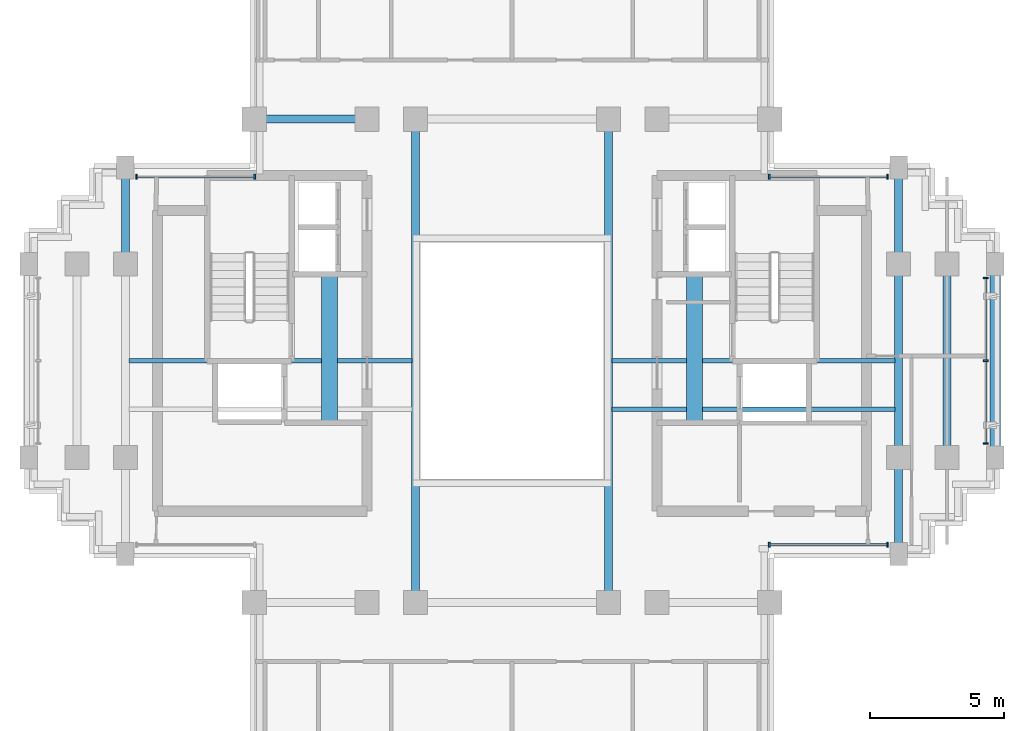
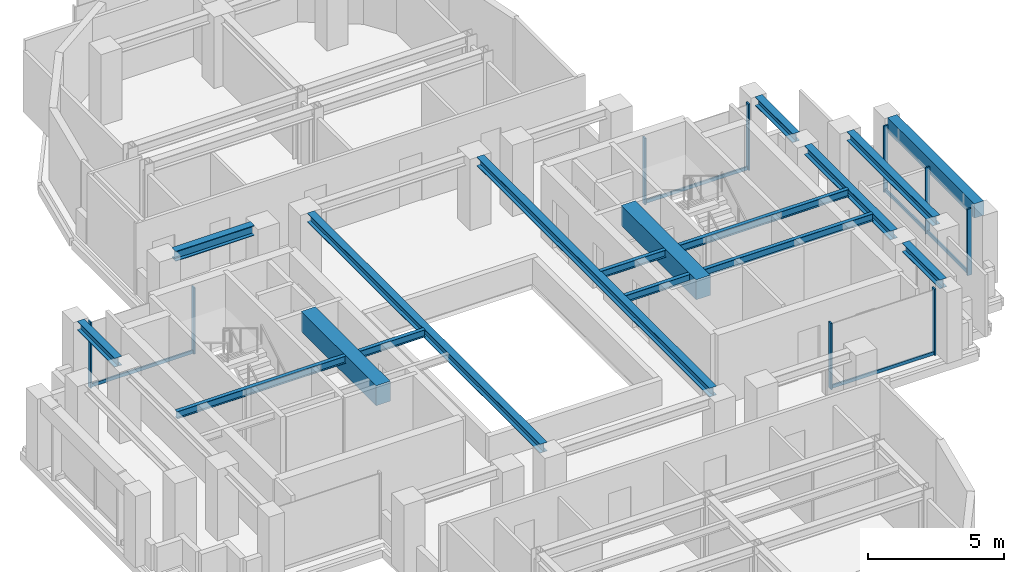
# One storey, part 3 of 11: 14 beams, 14 members, 4 elements without a shape of their own.
"""IFC4 building model written with IfcOpenShell, lengths in metres."""

import ifcopenshell
import ifcopenshell.guid

model = None  # the IFC model being written
_history = None  # IfcOwnerHistory: only IFC2X3 demands one
_inside = {}  # id of a spatial element -> (the spatial element, [elements in it])
_under = {}  # id of a project, library or spatial element -> (it, [spatial elements below it])
_declared = {}  # id of a project -> (the project, [libraries it declares])
_typed = {}  # id of a type object -> (the type object, [elements of that type])
_made_of = {}  # id of a material, layer set ... -> (it, [elements and type objects made of it])


def new_model(schema):
    """Start an empty IFC model of exactly this schema.

    Asked for "IFC4X3", IfcOpenShell would pick the latest addendum, in which some entities
    have other attributes; the version numbers below select the first issue.
    IFC2X3 requires an IfcOwnerHistory on every rooted entity: one is made here for all.
    """
    global model, _history
    if schema == "IFC4X3":
        model = ifcopenshell.file(schema_version=(4, 3, 0, 0))
    else:
        model = ifcopenshell.file(schema=schema)
    _inside.clear()
    _under.clear()
    _declared.clear()
    _typed.clear()
    _made_of.clear()
    _history = None
    if model.schema == "IFC2X3":
        org = make("IfcOrganization", Name="unknown")
        user = make(
            "IfcPersonAndOrganization",
            ThePerson=make("IfcPerson", FamilyName="unknown"),
            TheOrganization=org,
        )
        app = make(
            "IfcApplication",
            ApplicationDeveloper=org,
            Version="unknown",
            ApplicationFullName="unknown",
            ApplicationIdentifier="unknown",
        )
        _history = make(
            "IfcOwnerHistory",
            OwningUser=user,
            OwningApplication=app,
            ChangeAction="ADDED",
            CreationDate=0,
        )
    return model


def make(cls, **values):
    """One entity of the class cls with the attributes given. An attribute that is None is left unset."""
    return model.create_entity(
        cls, **{name: value for name, value in values.items() if value is not None}
    )


def rooted(cls, **values):
    """An entity with a GlobalId (a new one), such as an element, a storey or a relation."""
    return make(cls, GlobalId=ifcopenshell.guid.new(), OwnerHistory=_history, **values)


def si_unit(unit_type, name, prefix=None):
    """IfcSIUnit, for example si_unit("LENGTHUNIT", "METRE", prefix="MILLI")."""
    return make("IfcSIUnit", UnitType=unit_type, Prefix=prefix, Name=name)


def assignment(units):
    """IfcUnitAssignment: the units of a project."""
    return None if units is None else make("IfcUnitAssignment", Units=units)


def point(xyz):
    """IfcCartesianPoint."""
    return None if xyz is None else make("IfcCartesianPoint", Coordinates=xyz)


def direction(xyz):
    """IfcDirection."""
    return None if xyz is None else make("IfcDirection", DirectionRatios=xyz)


def frame(location, z_axis=None, x_axis=None):
    """IfcAxis2Placement3D, a coordinate frame: its origin and axes. An axis left out is left unset."""
    return make(
        "IfcAxis2Placement3D",
        Location=point(location),
        Axis=direction(z_axis),
        RefDirection=direction(x_axis),
    )


def frame_2d(location, x_axis=None):
    """IfcAxis2Placement2D, a coordinate frame in the plane: its origin and x axis."""
    return make(
        "IfcAxis2Placement2D", Location=point(location), RefDirection=direction(x_axis)
    )


def origin():
    """The frame at (0, 0, 0) with its axes left unset."""
    return frame((0.0, 0.0, 0.0))


def origin_2d():
    """The frame at (0, 0) in the plane with its x axis left unset."""
    return frame_2d((0.0, 0.0))


def place(relative_to, where):
    """IfcLocalPlacement: puts the frame where relative to a parent placement (None: the world)."""
    return make(
        "IfcLocalPlacement", PlacementRelTo=relative_to, RelativePlacement=where
    )


def context(
    kind, dimensions, precision=None, world=None, true_north=None, identifier=None
):
    """IfcGeometricRepresentationContext, for example the 3D "Model" context."""
    return make(
        "IfcGeometricRepresentationContext",
        ContextIdentifier=identifier,
        ContextType=kind,
        CoordinateSpaceDimension=dimensions,
        Precision=precision,
        WorldCoordinateSystem=world,
        TrueNorth=true_north,
    )


def subcontext(parent, identifier, kind, view, scale=None):
    """IfcGeometricRepresentationSubContext, for example "Body" below "Model"."""
    return make(
        "IfcGeometricRepresentationSubContext",
        ContextIdentifier=identifier,
        ContextType=kind,
        ParentContext=parent,
        TargetScale=scale,
        TargetView=view,
    )


def project(units=None, contexts=None):
    """IfcProject with its units and contexts."""
    return rooted(
        "IfcProject",
        Name="project",
        RepresentationContexts=contexts,
        UnitsInContext=assignment(units),
    )


def spatial(cls, under=None, at=None, **own):
    """A site, building, storey or space (cls), placed at a placement, below another one or the project."""
    s = rooted(cls, ObjectPlacement=at, **own)
    if under is not None:
        _under.setdefault(under.id(), (under, []))[1].append(s)
    return s


def profile(cls, at=None, kind="AREA", **sizes):
    """A parametric profile (cls). Its sizes go by their IFC names, for example OverallWidth=200.0."""
    return make(cls, ProfileType=kind, Position=at, **sizes)


def rectangle(**sizes):
    """IfcRectangleProfileDef."""
    return profile("IfcRectangleProfileDef", **sizes)


def i_section(**sizes):
    """IfcIShapeProfileDef."""
    return profile("IfcIShapeProfileDef", **sizes)


def extrude(swept, where, along, depth):
    """IfcExtrudedAreaSolid: the profile swept, set in the frame where, extruded along a direction by depth."""
    return make(
        "IfcExtrudedAreaSolid",
        SweptArea=swept,
        Position=where,
        ExtrudedDirection=direction(along),
        Depth=depth,
    )


def shape(context_of_items, identifier, shape_type, items):
    """IfcShapeRepresentation: the items that make up one representation, for example the "Body"."""
    return make(
        "IfcShapeRepresentation",
        ContextOfItems=context_of_items,
        RepresentationIdentifier=identifier,
        RepresentationType=shape_type,
        Items=items,
    )


def source(mapping_origin, context_of_items, identifier, shape_type, items):
    """IfcRepresentationMap: a shape defined once, which mapped items show again and again."""
    return make(
        "IfcRepresentationMap",
        MappingOrigin=mapping_origin,
        MappedRepresentation=shape(context_of_items, identifier, shape_type, items),
    )


def transform(
    local_origin,
    x_axis=None,
    y_axis=None,
    z_axis=None,
    scale=None,
    scale2=None,
    scale3=None,
    uniform=True,
):
    """IfcCartesianTransformationOperator3D, or its non-uniform kind. x_axis, y_axis, z_axis: its Axis1, 2, 3."""
    if uniform:
        return make(
            "IfcCartesianTransformationOperator3D",
            Axis1=direction(x_axis),
            Axis2=direction(y_axis),
            LocalOrigin=point(local_origin),
            Scale=scale,
            Axis3=direction(z_axis),
        )
    return make(
        "IfcCartesianTransformationOperator3DnonUniform",
        Axis1=direction(x_axis),
        Axis2=direction(y_axis),
        LocalOrigin=point(local_origin),
        Scale=scale,
        Axis3=direction(z_axis),
        Scale2=scale2,
        Scale3=scale3,
    )


def mapped(mapping_source, mapping_target):
    """IfcMappedItem: shows the shape of a source again, moved by a transform."""
    return make(
        "IfcMappedItem", MappingSource=mapping_source, MappingTarget=mapping_target
    )


def material(Name=None, Category=None):
    """IfcMaterial."""
    return make("IfcMaterial", Name=Name, Category=Category)


def material_profile(
    of_material, cross_section, Name=None, Category=None, Priority=None
):
    """IfcMaterialProfile: a cross section and its material."""
    return make(
        "IfcMaterialProfile",
        Name=Name,
        Material=of_material,
        Profile=cross_section,
        Priority=Priority,
        Category=Category,
    )


def profile_set(profiles, Name=None, composite=None):
    """IfcMaterialProfileSet."""
    return make(
        "IfcMaterialProfileSet",
        Name=Name,
        MaterialProfiles=profiles,
        CompositeProfile=composite,
    )


def made_of(thing, what):
    """Note that an element or type object is made of a material, layer set ...; save() writes the relation."""
    if what is not None:
        _made_of.setdefault(what.id(), (what, []))[1].append(thing)
    return thing


def type_object(cls, material=None, **own):
    """A type object (cls), such as IfcWallType, which elements share."""
    return made_of(rooted(cls, **own), material)


def element(
    cls,
    number,
    at=None,
    inside=None,
    cuts=None,
    type_object=None,
    material=None,
    context=None,
    identifier="Body",
    shape_type=None,
    held_by="IfcProductDefinitionShape",
    body=None,
    shapes=None,
    **own,
):
    """One element of the class cls, such as IfcWall. Its Tag is "e" and its number.

    at: its placement. inside: the storey or other place that contains it. cuts: it is an
    opening in that element (IfcRelVoidsElement). A single representation is given by context,
    identifier, shape_type and body (its items); several are given by shapes. held_by: the class
    of the entity that holds the representations. save() writes the other relations.
    """
    e = rooted(cls, Tag="e%d" % number, ObjectPlacement=at, **own)
    if body is not None:
        shapes = [shape(context, identifier, shape_type, body)]
    if shapes is not None:
        e.Representation = make(held_by, Representations=shapes)
    if inside is not None:
        _inside.setdefault(inside.id(), (inside, []))[1].append(e)
    if cuts is not None:
        rooted(
            "IfcRelVoidsElement", RelatingBuildingElement=cuts, RelatedOpeningElement=e
        )
    if type_object is not None:
        _typed.setdefault(type_object.id(), (type_object, []))[1].append(e)
    return made_of(e, material)


def aggregate(whole, parts):
    """IfcRelAggregates: a whole, such as a stair, and the parts it consists of."""
    return rooted("IfcRelAggregates", RelatingObject=whole, RelatedObjects=parts)


def save(model, path):
    """Write the relations noted so far, then the file.

    IfcRelAggregates (storeys below a building ...), IfcRelContainedInSpatialStructure (elements
    in a storey), IfcRelDefinesByType, IfcRelAssociatesMaterial and IfcRelDeclares: one each for
    every whole, place, type object, material and project.
    """
    for whole, parts in _under.values():
        aggregate(whole, parts)
    for where, things in _inside.values():
        rooted(
            "IfcRelContainedInSpatialStructure",
            RelatedElements=things,
            RelatingStructure=where,
        )
    for kind, things in _typed.values():
        rooted("IfcRelDefinesByType", RelatedObjects=things, RelatingType=kind)
    for what, things in _made_of.values():
        rooted("IfcRelAssociatesMaterial", RelatedObjects=things, RelatingMaterial=what)
    for by, libraries in _declared.values():
        rooted("IfcRelDeclares", RelatingContext=by, RelatedDefinitions=libraries)
    model.write(path)


model = new_model("IFC4")

# Units and contexts
model_context = context("Model", 3, precision=1e-05, world=origin(), true_north=direction((0.0, 1.0)))
body_context = subcontext(model_context, "Body", "Model", "MODEL_VIEW")
ifc_project = project(units=[si_unit("LENGTHUNIT", "METRE"), si_unit("AREAUNIT", "SQUARE_METRE"), si_unit("VOLUMEUNIT", "CUBIC_METRE"), si_unit("PLANEANGLEUNIT", "RADIAN"), si_unit("MASSUNIT", "GRAM", prefix="KILO")], contexts=[model_context])

# Site, building, storey
site_placement = place(None, origin())
site = spatial("IfcSite", under=ifc_project, at=site_placement, CompositionType="ELEMENT")
building_placement = place(site_placement, origin())
building = spatial("IfcBuilding", under=site, at=building_placement, Name="Keilestroom Media Tower", CompositionType="ELEMENT")
storey_placement = place(building_placement, frame((0.0, 0.0, 197.800048828125)))
storey = spatial("IfcBuildingStorey", under=building, at=storey_placement, Name="L54", CompositionType="ELEMENT", Elevation=197.800048828125)

# Beams
ifc_material_1 = material(Name="Concrete C70/85", Category="concrete")
ifc_material_profile_1 = material_profile(ifc_material_1, rectangle(XDim=0.60009765625, YDim=0.89990234375, at=origin_2d()), Name="RC 600x900")
ifc_profile_set_1 = profile_set([ifc_material_profile_1], Name="Concrete C70/85")
beam_type_1 = type_object("IfcBeamType", Name="Core-Coupling-Lintel-Beam-RC-600x900", PredefinedType="LINTEL", material=ifc_profile_set_1)
shared_shape_1 = source(origin(), body_context, "Body", "SweptSolid", [
    extrude(rectangle(XDim=0.60009765625, YDim=0.89990234375, at=origin_2d()), origin(), (0.0, 0.0, 1.0), 5.52001953125),
])
for number, where, z_axis, x_axis, name in (
    (1, (-6.800048828125, -2.300048828125, 2.75), (0.0, 1.0, 0.0), (-1.0, 0.0, 0.0), "L54 Beam CLB-1 CLB-L54-W"),
    (2, (6.800048828125, -2.300048828125, 2.75), (0.0, 1.0, 0.0), (-1.0, 0.0, 0.0), "L54 Beam CLB-1 CLB-L54-E"),
):
    element("IfcBeam", number, at=place(storey_placement, frame(where, z_axis=z_axis, x_axis=x_axis)), inside=storey, type_object=beam_type_1, Name=name, PredefinedType="LINTEL", context=body_context, shape_type="MappedRepresentation", body=[
        mapped(shared_shape_1, transform((0.0, 0.0, 0.0), x_axis=(1.0, 0.0, 0.0), y_axis=(0.0, 1.0, 0.0), z_axis=(0.0, 0.0, 1.0), scale=1.0)),
    ])
ifc_material_2 = material(Name="Steel S355", Category="steel")
ifc_material_profile_2 = material_profile(ifc_material_2, i_section(OverallWidth=0.300048828125, OverallDepth=0.449951171875, WebThickness=0.011962890625, FlangeThickness=0.02587890625, at=origin_2d()), Name="HEB 450")
ifc_profile_set_2 = profile_set([ifc_material_profile_2], Name="Steel S355")
beam_type_2 = type_object("IfcBeamType", Name="Primary-Structural-Girder-HEB-450", PredefinedType="BEAM", material=ifc_profile_set_2)
shared_shape_2 = source(origin(), body_context, "Body", "SweptSolid", [
    extrude(i_section(OverallWidth=0.300048828125, OverallDepth=0.449951171875, WebThickness=0.011962890625, FlangeThickness=0.02587890625, at=origin_2d()), origin(), (0.0, 0.0, 1.0), 3.33984375),
])
beam_1_placement = place(storey_placement, frame((-9.169921875, 9.0, 2.974853515625), z_axis=(1.0, 0.0, 0.0), x_axis=(0.0, 1.0, 0.0)))
element("IfcBeam", 3, at=beam_1_placement, inside=storey, type_object=beam_type_2, Name="L54 Beam BG-7 BM-L54-EW-020", PredefinedType="BEAM", context=body_context, shape_type="MappedRepresentation", body=[
    mapped(shared_shape_2, transform((0.0, 0.0, 0.0), x_axis=(1.0, 0.0, 0.0), y_axis=(0.0, 1.0, 0.0), z_axis=(0.0, 0.0, 1.0), scale=1.0)),
])
ifc_material_3 = material(Name="Precast concrete C40/50", Category="concrete")
ifc_material_profile_3 = material_profile(ifc_material_3, rectangle(XDim=0.39990234375, YDim=0.64990234375, at=origin_2d()), Name="PC 400x650")
ifc_profile_set_3 = profile_set([ifc_material_profile_3], Name="Precast concrete C40/50")
beam_type_3 = type_object("IfcBeamType", Name="Perimeter-Spandrel-Beam-PC-400x650", PredefinedType="SPANDREL", material=ifc_profile_set_3)
shared_shape_3 = source(origin(), body_context, "Body", "SweptSolid", [
    extrude(rectangle(XDim=0.39990234375, YDim=0.64990234375, at=origin_2d()), origin(), (0.0, 0.0, 1.0), 6.39013671875),
])
beam_2_placement = place(storey_placement, frame((18.0, -3.195068359375, 2.875), z_axis=(0.0, 1.0, 0.0), x_axis=(-1.0, 0.0, 0.0)))
element("IfcBeam", 4, at=beam_2_placement, inside=storey, type_object=beam_type_3, Name="L54 Beam SPB-2 BM-L54-NS-054", PredefinedType="SPANDREL", context=body_context, shape_type="MappedRepresentation", body=[
    mapped(shared_shape_3, transform((0.0, 0.0, 0.0), x_axis=(1.0, 0.0, 0.0), y_axis=(0.0, 1.0, 0.0), z_axis=(0.0, 0.0, 1.0), scale=1.0)),
])
ifc_material_profile_4 = material_profile(ifc_material_2, i_section(OverallWidth=0.300048828125, OverallDepth=0.39990234375, WebThickness=0.011474609375, FlangeThickness=0.02392578125, at=origin_2d()), Name="HEB 400")
ifc_profile_set_4 = profile_set([ifc_material_profile_4], Name="Steel S355")
beam_type_4 = type_object("IfcBeamType", Name="Primary-Structural-Girder-HEB-400", PredefinedType="BEAM", material=ifc_profile_set_4)
shared_shape_4 = source(origin(), body_context, "Body", "SweptSolid", [
    extrude(i_section(OverallWidth=0.300048828125, OverallDepth=0.39990234375, WebThickness=0.011474609375, FlangeThickness=0.02392578125, at=origin_2d()), origin(), (0.0, 0.0, 1.0), 6.33984375),
])
for number, where, z_axis, x_axis, name in (
    (5, (14.39990234375, -3.169921875, 3.0), (0.0, 1.0, 0.0), (-1.0, 0.0, 0.0), "L54 Beam BG-8 BM-L54-NS-051"),
    (6, (16.199951171875, -3.169921875, 3.0), (0.0, 1.0, 0.0), (-1.0, 0.0, 0.0), "L54 Beam BG-8 BM-L54-NS-053"),
):
    element("IfcBeam", number, at=place(storey_placement, frame(where, z_axis=z_axis, x_axis=x_axis)), inside=storey, type_object=beam_type_4, Name=name, PredefinedType="BEAM", context=body_context, shape_type="MappedRepresentation", body=[
        mapped(shared_shape_4, transform((0.0, 0.0, 0.0), x_axis=(1.0, 0.0, 0.0), y_axis=(0.0, 1.0, 0.0), z_axis=(0.0, 0.0, 1.0), scale=1.0)),
    ])
shared_shape_5 = source(origin(), body_context, "Body", "SweptSolid", [
    extrude(i_section(OverallWidth=0.300048828125, OverallDepth=0.39990234375, WebThickness=0.011474609375, FlangeThickness=0.02392578125, at=origin_2d()), origin(), (0.0, 0.0, 1.0), 2.764892578125),
])
for number, where, z_axis, x_axis, name in (
    (7, (-14.39990234375, 4.030029296875, 3.0), (0.0, 1.0, 0.0), (-1.0, 0.0, 0.0), "L54 Beam BG-8 BM-L54-NS-035"),
    (8, (14.39990234375, -6.794921875, 3.0), (0.0, 1.0, 0.0), (-1.0, 0.0, 0.0), "L54 Beam BG-8 BM-L54-NS-050"),
    (9, (14.39990234375, 4.030029296875, 3.0), (0.0, 1.0, 0.0), (-1.0, 0.0, 0.0), "L54 Beam BG-8 BM-L54-NS-052"),
):
    element("IfcBeam", number, at=place(storey_placement, frame(where, z_axis=z_axis, x_axis=x_axis)), inside=storey, type_object=beam_type_4, Name=name, PredefinedType="BEAM", context=body_context, shape_type="MappedRepresentation", body=[
        mapped(shared_shape_5, transform((0.0, 0.0, 0.0), x_axis=(1.0, 0.0, 0.0), y_axis=(0.0, 1.0, 0.0), z_axis=(0.0, 0.0, 1.0), scale=1.0)),
    ])
shared_shape_6 = source(origin(), body_context, "Body", "SweptSolid", [
    extrude(i_section(OverallWidth=0.300048828125, OverallDepth=0.39990234375, WebThickness=0.011474609375, FlangeThickness=0.02392578125, at=origin_2d()), origin(), (0.0, 0.0, 1.0), 17.14013671875),
])
for number, where, z_axis, x_axis, name in (
    (10, (-3.60009765625, -8.570068359375, 3.0), (0.0, 1.0, 0.0), (-1.0, 0.0, 0.0), "L54 Beam BG-8 BM-L54-NS-040"),
    (11, (3.60009765625, -8.570068359375, 3.0), (0.0, 1.0, 0.0), (-1.0, 0.0, 0.0), "L54 Beam BG-8 BM-L54-NS-045"),
):
    element("IfcBeam", number, at=place(storey_placement, frame(where, z_axis=z_axis, x_axis=x_axis)), inside=storey, type_object=beam_type_4, Name=name, PredefinedType="BEAM", context=body_context, shape_type="MappedRepresentation", body=[
        mapped(shared_shape_6, transform((0.0, 0.0, 0.0), x_axis=(1.0, 0.0, 0.0), y_axis=(0.0, 1.0, 0.0), z_axis=(0.0, 0.0, 1.0), scale=1.0)),
    ])
ifc_material_profile_5 = material_profile(ifc_material_2, i_section(OverallWidth=0.159912109375, OverallDepth=0.330078125, WebThickness=0.007568359375, FlangeThickness=0.011474609375, at=origin_2d()), Name="IPE 330")
ifc_profile_set_5 = profile_set([ifc_material_profile_5], Name="Steel S355")
beam_type_5 = type_object("IfcBeamType", Name="Secondary-Floor-Joist-IPE-330", PredefinedType="JOIST", material=ifc_profile_set_5)
shared_shape_7 = source(origin(), body_context, "Body", "SweptSolid", [
    extrude(i_section(OverallWidth=0.159912109375, OverallDepth=0.330078125, WebThickness=0.007568359375, FlangeThickness=0.011474609375, at=origin_2d()), origin(), (0.0, 0.0, 1.0), 10.5400390625),
])
for number, where, z_axis, x_axis, name in (
    (12, (3.72998046875, -1.800048828125, 3.034912109375), (1.0, 0.0, 0.0), (0.0, 1.0, 0.0), "L54 Beam BJ-6 JST-L54-059"),
    (13, (-14.27001953125, 0.0, 3.034912109375), (1.0, 0.0, 0.0), (0.0, 1.0, 0.0), "L54 Beam BJ-6 JST-L54-060"),
    (14, (3.72998046875, 0.0, 3.034912109375), (1.0, 0.0, 0.0), (0.0, 1.0, 0.0), "L54 Beam BJ-6 JST-L54-062"),
):
    element("IfcBeam", number, at=place(storey_placement, frame(where, z_axis=z_axis, x_axis=x_axis)), inside=storey, type_object=beam_type_5, Name=name, PredefinedType="JOIST", context=body_context, shape_type="MappedRepresentation", body=[
        mapped(shared_shape_7, transform((0.0, 0.0, 0.0), x_axis=(1.0, 0.0, 0.0), y_axis=(0.0, 1.0, 0.0), z_axis=(0.0, 0.0, 1.0), scale=1.0)),
    ])

# Curtain wall, members
ifc_material_4 = material(Name="Anodised Aluminium Alloy", Category="aluminium")
curtain_wall_type = type_object("IfcCurtainWallType", Name="Unitised-Curtain-Wall-CW-3", PredefinedType="NOTDEFINED", material=ifc_material_4)
curtain_wall_1_placement = place(storey_placement, origin())
curtain_wall_1 = element("IfcCurtainWall", 15, at=curtain_wall_1_placement, inside=storey, type_object=curtain_wall_type, Name="L54 Curtain Wall CW-3 CW-L54-E-1", PredefinedType="NOTDEFINED")
ifc_material_profile_6 = material_profile(ifc_material_4, rectangle(XDim=0.06494140625, YDim=0.179931640625, at=origin_2d()), Name="ALU MULLION 65x180")
ifc_profile_set_6 = profile_set([ifc_material_profile_6], Name="Anodised Aluminium Alloy")
member_type_1 = type_object("IfcMemberType", Name="Curtain-Wall-Mullion-CW-3", PredefinedType="MULLION", material=ifc_profile_set_6)
shared_shape_8 = source(origin(), body_context, "Body", "SweptSolid", [
    extrude(rectangle(XDim=0.06494140625, YDim=0.179931640625, at=origin_2d()), origin(), (0.0, 0.0, 1.0), 2.97998046875),
])
member_1_placement = place(storey_placement, frame((17.64990234375, -3.08251953125, 0.0), z_axis=(0.0, 0.0, 1.0), x_axis=(0.0, 1.0, 0.0)))
member_1 = element("IfcMember", 16, at=member_1_placement, type_object=member_type_1, Name="CW-3 Mullion 00", PredefinedType="MULLION", context=body_context, shape_type="MappedRepresentation", body=[
    mapped(shared_shape_8, transform((0.0, 0.0, 0.0), x_axis=(1.0, 0.0, 0.0), y_axis=(0.0, 1.0, 0.0), z_axis=(0.0, 0.0, 1.0), scale=1.0)),
])
member_2_placement = place(storey_placement, frame((17.64990234375, 0.0, 0.0), z_axis=(0.0, 0.0, 1.0), x_axis=(0.0, 1.0, 0.0)))
member_2 = element("IfcMember", 17, at=member_2_placement, type_object=member_type_1, Name="CW-3 Mullion 01", PredefinedType="MULLION", context=body_context, shape_type="MappedRepresentation", body=[
    mapped(shared_shape_8, transform((0.0, 0.0, 0.0), x_axis=(1.0, 0.0, 0.0), y_axis=(0.0, 1.0, 0.0), z_axis=(0.0, 0.0, 1.0), scale=1.0)),
])
member_3_placement = place(storey_placement, frame((17.64990234375, 3.08251953125, 0.0), z_axis=(0.0, 0.0, 1.0), x_axis=(0.0, 1.0, 0.0)))
member_3 = element("IfcMember", 18, at=member_3_placement, type_object=member_type_1, Name="CW-3 Mullion 02", PredefinedType="MULLION", context=body_context, shape_type="MappedRepresentation", body=[
    mapped(shared_shape_8, transform((0.0, 0.0, 0.0), x_axis=(1.0, 0.0, 0.0), y_axis=(0.0, 1.0, 0.0), z_axis=(0.0, 0.0, 1.0), scale=1.0)),
])

curtain_wall_2_placement = place(storey_placement, origin())
curtain_wall_2 = element("IfcCurtainWall", 19, at=curtain_wall_2_placement, inside=storey, type_object=curtain_wall_type, Name="L54 Curtain Wall CW-3 CW-L54-NW-1", PredefinedType="NOTDEFINED")
member_4_placement = place(storey_placement, frame((-13.982421875, 6.85009765625, 0.0), z_axis=(0.0, 0.0, 1.0), x_axis=(1.0, 0.0, 0.0)))
member_4 = element("IfcMember", 20, at=member_4_placement, type_object=member_type_1, Name="CW-3 Mullion 00", PredefinedType="MULLION", context=body_context, shape_type="MappedRepresentation", body=[
    mapped(shared_shape_8, transform((0.0, 0.0, 0.0), x_axis=(1.0, 0.0, 0.0), y_axis=(0.0, 1.0, 0.0), z_axis=(0.0, 0.0, 1.0), scale=1.0)),
])
member_5_placement = place(storey_placement, frame((-9.58251953125, 6.85009765625, 0.0), z_axis=(0.0, 0.0, 1.0), x_axis=(1.0, 0.0, 0.0)))
member_5 = element("IfcMember", 21, at=member_5_placement, type_object=member_type_1, Name="CW-3 Mullion 01", PredefinedType="MULLION", context=body_context, shape_type="MappedRepresentation", body=[
    mapped(shared_shape_8, transform((0.0, 0.0, 0.0), x_axis=(1.0, 0.0, 0.0), y_axis=(0.0, 1.0, 0.0), z_axis=(0.0, 0.0, 1.0), scale=1.0)),
])

curtain_wall_3_placement = place(storey_placement, origin())
curtain_wall_3 = element("IfcCurtainWall", 22, at=curtain_wall_3_placement, inside=storey, type_object=curtain_wall_type, Name="L54 Curtain Wall CW-3 CW-L54-NE-1", PredefinedType="NOTDEFINED")
member_6_placement = place(storey_placement, frame((9.58251953125, 6.85009765625, 0.0), z_axis=(0.0, 0.0, 1.0), x_axis=(1.0, 0.0, 0.0)))
member_6 = element("IfcMember", 23, at=member_6_placement, type_object=member_type_1, Name="CW-3 Mullion 00", PredefinedType="MULLION", context=body_context, shape_type="MappedRepresentation", body=[
    mapped(shared_shape_8, transform((0.0, 0.0, 0.0), x_axis=(1.0, 0.0, 0.0), y_axis=(0.0, 1.0, 0.0), z_axis=(0.0, 0.0, 1.0), scale=1.0)),
])
member_7_placement = place(storey_placement, frame((13.982421875, 6.85009765625, 0.0), z_axis=(0.0, 0.0, 1.0), x_axis=(1.0, 0.0, 0.0)))
member_7 = element("IfcMember", 24, at=member_7_placement, type_object=member_type_1, Name="CW-3 Mullion 01", PredefinedType="MULLION", context=body_context, shape_type="MappedRepresentation", body=[
    mapped(shared_shape_8, transform((0.0, 0.0, 0.0), x_axis=(1.0, 0.0, 0.0), y_axis=(0.0, 1.0, 0.0), z_axis=(0.0, 0.0, 1.0), scale=1.0)),
])

curtain_wall_4_placement = place(storey_placement, origin())
curtain_wall_4 = element("IfcCurtainWall", 25, at=curtain_wall_4_placement, inside=storey, type_object=curtain_wall_type, Name="L54 Curtain Wall CW-3 CW-L54-SE-1", PredefinedType="NOTDEFINED")
member_8_placement = place(storey_placement, frame((9.58251953125, -6.85009765625, 0.0), z_axis=(0.0, 0.0, 1.0), x_axis=(1.0, 0.0, 0.0)))
member_8 = element("IfcMember", 26, at=member_8_placement, type_object=member_type_1, Name="CW-3 Mullion 00", PredefinedType="MULLION", context=body_context, shape_type="MappedRepresentation", body=[
    mapped(shared_shape_8, transform((0.0, 0.0, 0.0), x_axis=(1.0, 0.0, 0.0), y_axis=(0.0, 1.0, 0.0), z_axis=(0.0, 0.0, 1.0), scale=1.0)),
])
member_9_placement = place(storey_placement, frame((13.982421875, -6.85009765625, 0.0), z_axis=(0.0, 0.0, 1.0), x_axis=(1.0, 0.0, 0.0)))
member_9 = element("IfcMember", 27, at=member_9_placement, type_object=member_type_1, Name="CW-3 Mullion 01", PredefinedType="MULLION", context=body_context, shape_type="MappedRepresentation", body=[
    mapped(shared_shape_8, transform((0.0, 0.0, 0.0), x_axis=(1.0, 0.0, 0.0), y_axis=(0.0, 1.0, 0.0), z_axis=(0.0, 0.0, 1.0), scale=1.0)),
])

# Member
ifc_material_profile_7 = material_profile(ifc_material_4, rectangle(XDim=0.06494140625, YDim=0.14990234375, at=origin_2d()), Name="ALU TRANSOM 65x150")
ifc_profile_set_7 = profile_set([ifc_material_profile_7], Name="Anodised Aluminium Alloy")
member_type_2 = type_object("IfcMemberType", Name="Curtain-Wall-Transom-CW-3", PredefinedType="USERDEFINED", material=ifc_profile_set_7)
shared_shape_9 = source(origin(), body_context, "Body", "SweptSolid", [
    extrude(rectangle(XDim=0.06494140625, YDim=0.14990234375, at=origin_2d()), origin(), (0.0, 0.0, 1.0), 4.3388671875),
])
member_10_placement = place(storey_placement, frame((-13.951904296875, 6.85009765625, 0.074951171875), z_axis=(1.0, 0.0, 0.0), x_axis=(0.0, 1.0, 0.0)))
member_10 = element("IfcMember", 28, at=member_10_placement, type_object=member_type_2, Name="CW-3 Transom 00.1", ObjectType="TRANSOM", PredefinedType="USERDEFINED", context=body_context, shape_type="MappedRepresentation", body=[
    mapped(shared_shape_9, transform((0.0, 0.0, 0.0), x_axis=(1.0, 0.0, 0.0), y_axis=(0.0, 1.0, 0.0), z_axis=(0.0, 0.0, 1.0), scale=1.0)),
])

aggregate(curtain_wall_2, [member_4, member_5, member_10])

member_11_placement = place(storey_placement, frame((9.613037109375, 6.85009765625, 0.074951171875), z_axis=(1.0, 0.0, 0.0), x_axis=(0.0, 1.0, 0.0)))
member_11 = element("IfcMember", 29, at=member_11_placement, type_object=member_type_2, Name="CW-3 Transom 00.1", ObjectType="TRANSOM", PredefinedType="USERDEFINED", context=body_context, shape_type="MappedRepresentation", body=[
    mapped(shared_shape_9, transform((0.0, 0.0, 0.0), x_axis=(1.0, 0.0, 0.0), y_axis=(0.0, 1.0, 0.0), z_axis=(0.0, 0.0, 1.0), scale=1.0)),
])

aggregate(curtain_wall_3, [member_6, member_7, member_11])

member_12_placement = place(storey_placement, frame((9.613037109375, -6.85009765625, 0.074951171875), z_axis=(1.0, 0.0, 0.0), x_axis=(0.0, 1.0, 0.0)))
member_12 = element("IfcMember", 30, at=member_12_placement, type_object=member_type_2, Name="CW-3 Transom 00.1", ObjectType="TRANSOM", PredefinedType="USERDEFINED", context=body_context, shape_type="MappedRepresentation", body=[
    mapped(shared_shape_9, transform((0.0, 0.0, 0.0), x_axis=(1.0, 0.0, 0.0), y_axis=(0.0, 1.0, 0.0), z_axis=(0.0, 0.0, 1.0), scale=1.0)),
])

aggregate(curtain_wall_4, [member_8, member_9, member_12])

shared_shape_10 = source(origin(), body_context, "Body", "SweptSolid", [
    extrude(rectangle(XDim=0.06494140625, YDim=0.14990234375, at=origin_2d()), origin(), (0.0, 0.0, 1.0), 3.021484375),
])
member_13_placement = place(storey_placement, frame((17.64990234375, -3.052001953125, 0.074951171875), z_axis=(0.0, 1.0, 0.0), x_axis=(-1.0, 0.0, 0.0)))
member_13 = element("IfcMember", 31, at=member_13_placement, type_object=member_type_2, Name="CW-3 Transom 00.1", ObjectType="TRANSOM", PredefinedType="USERDEFINED", context=body_context, shape_type="MappedRepresentation", body=[
    mapped(shared_shape_10, transform((0.0, 0.0, 0.0), x_axis=(1.0, 0.0, 0.0), y_axis=(0.0, 1.0, 0.0), z_axis=(0.0, 0.0, 1.0), scale=1.0)),
])

member_14_placement = place(storey_placement, frame((17.64990234375, 0.030517578125, 0.074951171875), z_axis=(0.0, 1.0, 0.0), x_axis=(-1.0, 0.0, 0.0)))
member_14 = element("IfcMember", 32, at=member_14_placement, type_object=member_type_2, Name="CW-3 Transom 01.1", ObjectType="TRANSOM", PredefinedType="USERDEFINED", context=body_context, shape_type="MappedRepresentation", body=[
    mapped(shared_shape_10, transform((0.0, 0.0, 0.0), x_axis=(1.0, 0.0, 0.0), y_axis=(0.0, 1.0, 0.0), z_axis=(0.0, 0.0, 1.0), scale=1.0)),
])

aggregate(curtain_wall_1, [member_1, member_2, member_3, member_13, member_14])

save(model, "model.ifc")
